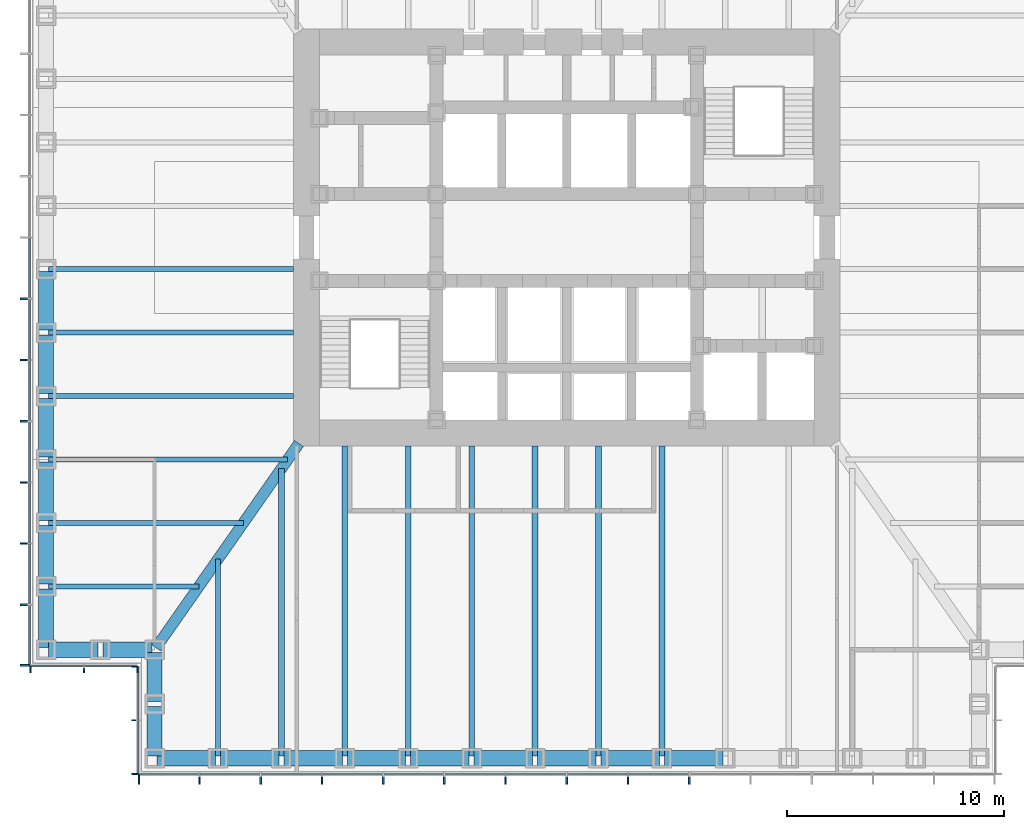
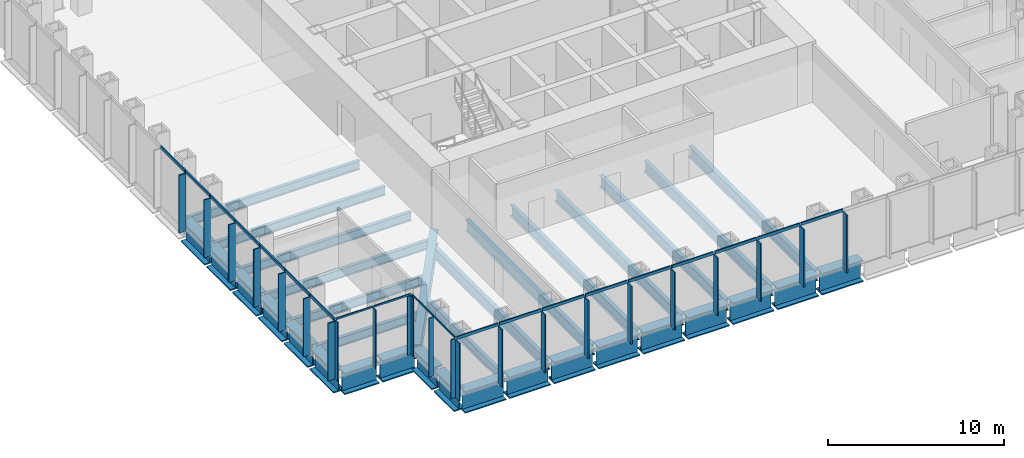
# One storey, part 2 of 16: 43 members, 34 beams, 4 elements without a shape of their own.
"""IFC4 building model written with IfcOpenShell, lengths in metres."""

import ifcopenshell
import ifcopenshell.guid

model = None  # the IFC model being written
_history = None  # IfcOwnerHistory: only IFC2X3 demands one
_inside = {}  # id of a spatial element -> (the spatial element, [elements in it])
_under = {}  # id of a project, library or spatial element -> (it, [spatial elements below it])
_declared = {}  # id of a project -> (the project, [libraries it declares])
_typed = {}  # id of a type object -> (the type object, [elements of that type])
_made_of = {}  # id of a material, layer set ... -> (it, [elements and type objects made of it])


def new_model(schema):
    """Start an empty IFC model of exactly this schema.

    Asked for "IFC4X3", IfcOpenShell would pick the latest addendum, in which some entities
    have other attributes; the version numbers below select the first issue.
    IFC2X3 requires an IfcOwnerHistory on every rooted entity: one is made here for all.
    """
    global model, _history
    if schema == "IFC4X3":
        model = ifcopenshell.file(schema_version=(4, 3, 0, 0))
    else:
        model = ifcopenshell.file(schema=schema)
    _inside.clear()
    _under.clear()
    _declared.clear()
    _typed.clear()
    _made_of.clear()
    _history = None
    if model.schema == "IFC2X3":
        org = make("IfcOrganization", Name="unknown")
        user = make(
            "IfcPersonAndOrganization",
            ThePerson=make("IfcPerson", FamilyName="unknown"),
            TheOrganization=org,
        )
        app = make(
            "IfcApplication",
            ApplicationDeveloper=org,
            Version="unknown",
            ApplicationFullName="unknown",
            ApplicationIdentifier="unknown",
        )
        _history = make(
            "IfcOwnerHistory",
            OwningUser=user,
            OwningApplication=app,
            ChangeAction="ADDED",
            CreationDate=0,
        )
    return model


def make(cls, **values):
    """One entity of the class cls with the attributes given. An attribute that is None is left unset."""
    return model.create_entity(
        cls, **{name: value for name, value in values.items() if value is not None}
    )


def rooted(cls, **values):
    """An entity with a GlobalId (a new one), such as an element, a storey or a relation."""
    return make(cls, GlobalId=ifcopenshell.guid.new(), OwnerHistory=_history, **values)


def si_unit(unit_type, name, prefix=None):
    """IfcSIUnit, for example si_unit("LENGTHUNIT", "METRE", prefix="MILLI")."""
    return make("IfcSIUnit", UnitType=unit_type, Prefix=prefix, Name=name)


def assignment(units):
    """IfcUnitAssignment: the units of a project."""
    return None if units is None else make("IfcUnitAssignment", Units=units)


def point(xyz):
    """IfcCartesianPoint."""
    return None if xyz is None else make("IfcCartesianPoint", Coordinates=xyz)


def direction(xyz):
    """IfcDirection."""
    return None if xyz is None else make("IfcDirection", DirectionRatios=xyz)


def frame(location, z_axis=None, x_axis=None):
    """IfcAxis2Placement3D, a coordinate frame: its origin and axes. An axis left out is left unset."""
    return make(
        "IfcAxis2Placement3D",
        Location=point(location),
        Axis=direction(z_axis),
        RefDirection=direction(x_axis),
    )


def frame_2d(location, x_axis=None):
    """IfcAxis2Placement2D, a coordinate frame in the plane: its origin and x axis."""
    return make(
        "IfcAxis2Placement2D", Location=point(location), RefDirection=direction(x_axis)
    )


def origin():
    """The frame at (0, 0, 0) with its axes left unset."""
    return frame((0.0, 0.0, 0.0))


def origin_2d():
    """The frame at (0, 0) in the plane with its x axis left unset."""
    return frame_2d((0.0, 0.0))


def place(relative_to, where):
    """IfcLocalPlacement: puts the frame where relative to a parent placement (None: the world)."""
    return make(
        "IfcLocalPlacement", PlacementRelTo=relative_to, RelativePlacement=where
    )


def context(
    kind, dimensions, precision=None, world=None, true_north=None, identifier=None
):
    """IfcGeometricRepresentationContext, for example the 3D "Model" context."""
    return make(
        "IfcGeometricRepresentationContext",
        ContextIdentifier=identifier,
        ContextType=kind,
        CoordinateSpaceDimension=dimensions,
        Precision=precision,
        WorldCoordinateSystem=world,
        TrueNorth=true_north,
    )


def subcontext(parent, identifier, kind, view, scale=None):
    """IfcGeometricRepresentationSubContext, for example "Body" below "Model"."""
    return make(
        "IfcGeometricRepresentationSubContext",
        ContextIdentifier=identifier,
        ContextType=kind,
        ParentContext=parent,
        TargetScale=scale,
        TargetView=view,
    )


def project(units=None, contexts=None):
    """IfcProject with its units and contexts."""
    return rooted(
        "IfcProject",
        Name="project",
        RepresentationContexts=contexts,
        UnitsInContext=assignment(units),
    )


def spatial(cls, under=None, at=None, **own):
    """A site, building, storey or space (cls), placed at a placement, below another one or the project."""
    s = rooted(cls, ObjectPlacement=at, **own)
    if under is not None:
        _under.setdefault(under.id(), (under, []))[1].append(s)
    return s


def profile(cls, at=None, kind="AREA", **sizes):
    """A parametric profile (cls). Its sizes go by their IFC names, for example OverallWidth=200.0."""
    return make(cls, ProfileType=kind, Position=at, **sizes)


def rectangle(**sizes):
    """IfcRectangleProfileDef."""
    return profile("IfcRectangleProfileDef", **sizes)


def i_section(**sizes):
    """IfcIShapeProfileDef."""
    return profile("IfcIShapeProfileDef", **sizes)


def extrude(swept, where, along, depth):
    """IfcExtrudedAreaSolid: the profile swept, set in the frame where, extruded along a direction by depth."""
    return make(
        "IfcExtrudedAreaSolid",
        SweptArea=swept,
        Position=where,
        ExtrudedDirection=direction(along),
        Depth=depth,
    )


def shape(context_of_items, identifier, shape_type, items):
    """IfcShapeRepresentation: the items that make up one representation, for example the "Body"."""
    return make(
        "IfcShapeRepresentation",
        ContextOfItems=context_of_items,
        RepresentationIdentifier=identifier,
        RepresentationType=shape_type,
        Items=items,
    )


def material(Name=None, Category=None):
    """IfcMaterial."""
    return make("IfcMaterial", Name=Name, Category=Category)


def material_profile(
    of_material, cross_section, Name=None, Category=None, Priority=None
):
    """IfcMaterialProfile: a cross section and its material."""
    return make(
        "IfcMaterialProfile",
        Name=Name,
        Material=of_material,
        Profile=cross_section,
        Priority=Priority,
        Category=Category,
    )


def profile_set(profiles, Name=None, composite=None):
    """IfcMaterialProfileSet."""
    return make(
        "IfcMaterialProfileSet",
        Name=Name,
        MaterialProfiles=profiles,
        CompositeProfile=composite,
    )


def made_of(thing, what):
    """Note that an element or type object is made of a material, layer set ...; save() writes the relation."""
    if what is not None:
        _made_of.setdefault(what.id(), (what, []))[1].append(thing)
    return thing


def type_object(cls, material=None, **own):
    """A type object (cls), such as IfcWallType, which elements share."""
    return made_of(rooted(cls, **own), material)


def element(
    cls,
    number,
    at=None,
    inside=None,
    cuts=None,
    type_object=None,
    material=None,
    context=None,
    identifier="Body",
    shape_type=None,
    held_by="IfcProductDefinitionShape",
    body=None,
    shapes=None,
    **own,
):
    """One element of the class cls, such as IfcWall. Its Tag is "e" and its number.

    at: its placement. inside: the storey or other place that contains it. cuts: it is an
    opening in that element (IfcRelVoidsElement). A single representation is given by context,
    identifier, shape_type and body (its items); several are given by shapes. held_by: the class
    of the entity that holds the representations. save() writes the other relations.
    """
    e = rooted(cls, Tag="e%d" % number, ObjectPlacement=at, **own)
    if body is not None:
        shapes = [shape(context, identifier, shape_type, body)]
    if shapes is not None:
        e.Representation = make(held_by, Representations=shapes)
    if inside is not None:
        _inside.setdefault(inside.id(), (inside, []))[1].append(e)
    if cuts is not None:
        rooted(
            "IfcRelVoidsElement", RelatingBuildingElement=cuts, RelatedOpeningElement=e
        )
    if type_object is not None:
        _typed.setdefault(type_object.id(), (type_object, []))[1].append(e)
    return made_of(e, material)


def aggregate(whole, parts):
    """IfcRelAggregates: a whole, such as a stair, and the parts it consists of."""
    return rooted("IfcRelAggregates", RelatingObject=whole, RelatedObjects=parts)


def save(model, path):
    """Write the relations noted so far, then the file.

    IfcRelAggregates (storeys below a building ...), IfcRelContainedInSpatialStructure (elements
    in a storey), IfcRelDefinesByType, IfcRelAssociatesMaterial and IfcRelDeclares: one each for
    every whole, place, type object, material and project.
    """
    for whole, parts in _under.values():
        aggregate(whole, parts)
    for where, things in _inside.values():
        rooted(
            "IfcRelContainedInSpatialStructure",
            RelatedElements=things,
            RelatingStructure=where,
        )
    for kind, things in _typed.values():
        rooted("IfcRelDefinesByType", RelatedObjects=things, RelatingType=kind)
    for what, things in _made_of.values():
        rooted("IfcRelAssociatesMaterial", RelatedObjects=things, RelatingMaterial=what)
    for by, libraries in _declared.values():
        rooted("IfcRelDeclares", RelatingContext=by, RelatedDefinitions=libraries)
    model.write(path)


model = new_model("IFC4")

# Units and contexts
model_context = context("Model", 3, precision=1e-05, world=origin(), true_north=direction((0.0, 1.0)))
body_context = subcontext(model_context, "Body", "Model", "MODEL_VIEW")
ifc_project = project(units=[si_unit("LENGTHUNIT", "METRE"), si_unit("AREAUNIT", "SQUARE_METRE"), si_unit("VOLUMEUNIT", "CUBIC_METRE"), si_unit("PLANEANGLEUNIT", "RADIAN"), si_unit("MASSUNIT", "GRAM", prefix="KILO")], contexts=[model_context])

# Site, building, storey
site_placement = place(None, origin())
site = spatial("IfcSite", under=ifc_project, at=site_placement, CompositionType="ELEMENT")
building_placement = place(site_placement, origin())
building = spatial("IfcBuilding", under=site, at=building_placement, Name="Daluyong Arena Tower", CompositionType="ELEMENT")
storey_placement = place(building_placement, frame((0.0, 0.0, 72.699951171875)))
storey = spatial("IfcBuildingStorey", under=building, at=storey_placement, Name="L15", CompositionType="ELEMENT", Elevation=72.699951171875)

# Curtain wall, members
ifc_material_1 = material(Name="Bronze anodised aluminium and glass", Category="aluminium")
curtain_wall_type_1 = type_object("IfcCurtainWallType", Name="Curtain wall CW1", PredefinedType="USERDEFINED", material=ifc_material_1)
curtain_wall_1_placement = place(storey_placement, origin())
curtain_wall_1 = element("IfcCurtainWall", 1, at=curtain_wall_1_placement, inside=storey, type_object=curtain_wall_type_1, Name="curtain wall L15 S", ObjectType="UNITISED CURTAIN WALL", PredefinedType="USERDEFINED")
ifc_material_2 = material(Name="Bronze anodised aluminium fin", Category="aluminium")
ifc_material_profile_1 = material_profile(ifc_material_2, rectangle(XDim=0.449951171875, YDim=0.080078125, at=origin_2d()))
ifc_profile_set_1 = profile_set([ifc_material_profile_1], Name="Bronze anodised aluminium fin")
member_type_1 = type_object("IfcMemberType", Name="CW1 bronze fin 450x80", PredefinedType="MULLION", material=ifc_profile_set_1)
member_1_placement = place(storey_placement, frame((36.2900390625, 55.02490234375, 0.0), z_axis=(0.0, 0.0, 1.0), x_axis=(0.0, 1.0, 0.0)))
member_1 = element("IfcMember", 2, at=member_1_placement, type_object=member_type_1, Name="curtain wall L15 S fin 1", PredefinedType="MULLION", context=body_context, shape_type="SweptSolid", body=[
    extrude(rectangle(XDim=0.449951171875, YDim=0.080078125, at=origin_2d()), origin(), (0.0, 0.0, 1.0), 4.0),
])
member_2_placement = place(storey_placement, frame((39.071533203125, 55.02490234375, 0.0), z_axis=(0.0, 0.0, 1.0), x_axis=(0.0, 1.0, 0.0)))
member_2 = element("IfcMember", 3, at=member_2_placement, type_object=member_type_1, Name="curtain wall L15 S fin 2", PredefinedType="MULLION", context=body_context, shape_type="SweptSolid", body=[
    extrude(rectangle(XDim=0.449951171875, YDim=0.080078125, at=origin_2d()), origin(), (0.0, 0.0, 1.0), 4.0),
])
member_3_placement = place(storey_placement, frame((41.892822265625, 55.02490234375, 0.0), z_axis=(0.0, 0.0, 1.0), x_axis=(0.0, 1.0, 0.0)))
member_3 = element("IfcMember", 4, at=member_3_placement, type_object=member_type_1, Name="curtain wall L15 S fin 3", PredefinedType="MULLION", context=body_context, shape_type="SweptSolid", body=[
    extrude(rectangle(XDim=0.449951171875, YDim=0.080078125, at=origin_2d()), origin(), (0.0, 0.0, 1.0), 4.0),
])
member_4_placement = place(storey_placement, frame((44.71435546875, 55.02490234375, 0.0), z_axis=(0.0, 0.0, 1.0), x_axis=(0.0, 1.0, 0.0)))
member_4 = element("IfcMember", 5, at=member_4_placement, type_object=member_type_1, Name="curtain wall L15 S fin 4", PredefinedType="MULLION", context=body_context, shape_type="SweptSolid", body=[
    extrude(rectangle(XDim=0.449951171875, YDim=0.080078125, at=origin_2d()), origin(), (0.0, 0.0, 1.0), 4.0),
])
member_5_placement = place(storey_placement, frame((47.53564453125, 55.02490234375, 0.0), z_axis=(0.0, 0.0, 1.0), x_axis=(0.0, 1.0, 0.0)))
member_5 = element("IfcMember", 6, at=member_5_placement, type_object=member_type_1, Name="curtain wall L15 S fin 5", PredefinedType="MULLION", context=body_context, shape_type="SweptSolid", body=[
    extrude(rectangle(XDim=0.449951171875, YDim=0.080078125, at=origin_2d()), origin(), (0.0, 0.0, 1.0), 4.0),
])
member_6_placement = place(storey_placement, frame((50.357177734375, 55.02490234375, 0.0), z_axis=(0.0, 0.0, 1.0), x_axis=(0.0, 1.0, 0.0)))
member_6 = element("IfcMember", 7, at=member_6_placement, type_object=member_type_1, Name="curtain wall L15 S fin 6", PredefinedType="MULLION", context=body_context, shape_type="SweptSolid", body=[
    extrude(rectangle(XDim=0.449951171875, YDim=0.080078125, at=origin_2d()), origin(), (0.0, 0.0, 1.0), 4.0),
])
member_7_placement = place(storey_placement, frame((53.178466796875, 55.02490234375, 0.0), z_axis=(0.0, 0.0, 1.0), x_axis=(0.0, 1.0, 0.0)))
member_7 = element("IfcMember", 8, at=member_7_placement, type_object=member_type_1, Name="curtain wall L15 S fin 7", PredefinedType="MULLION", context=body_context, shape_type="SweptSolid", body=[
    extrude(rectangle(XDim=0.449951171875, YDim=0.080078125, at=origin_2d()), origin(), (0.0, 0.0, 1.0), 4.0),
])
member_8_placement = place(storey_placement, frame((56.0, 55.02490234375, 0.0), z_axis=(0.0, 0.0, 1.0), x_axis=(0.0, 1.0, 0.0)))
member_8 = element("IfcMember", 9, at=member_8_placement, type_object=member_type_1, Name="curtain wall L15 S fin 8", PredefinedType="MULLION", context=body_context, shape_type="SweptSolid", body=[
    extrude(rectangle(XDim=0.449951171875, YDim=0.080078125, at=origin_2d()), origin(), (0.0, 0.0, 1.0), 4.0),
])
member_9_placement = place(storey_placement, frame((58.821533203125, 55.02490234375, 0.0), z_axis=(0.0, 0.0, 1.0), x_axis=(0.0, 1.0, 0.0)))
member_9 = element("IfcMember", 10, at=member_9_placement, type_object=member_type_1, Name="curtain wall L15 S fin 9", PredefinedType="MULLION", context=body_context, shape_type="SweptSolid", body=[
    extrude(rectangle(XDim=0.449951171875, YDim=0.080078125, at=origin_2d()), origin(), (0.0, 0.0, 1.0), 4.0),
])
member_10_placement = place(storey_placement, frame((61.642822265625, 55.02490234375, 0.0), z_axis=(0.0, 0.0, 1.0), x_axis=(0.0, 1.0, 0.0)))
member_10 = element("IfcMember", 11, at=member_10_placement, type_object=member_type_1, Name="curtain wall L15 S fin 10", PredefinedType="MULLION", context=body_context, shape_type="SweptSolid", body=[
    extrude(rectangle(XDim=0.449951171875, YDim=0.080078125, at=origin_2d()), origin(), (0.0, 0.0, 1.0), 4.0),
])

curtain_wall_2_placement = place(storey_placement, origin())
curtain_wall_2 = element("IfcCurtainWall", 12, at=curtain_wall_2_placement, inside=storey, type_object=curtain_wall_type_1, Name="curtain wall L15 W", ObjectType="UNITISED CURTAIN WALL", PredefinedType="USERDEFINED")
member_11_placement = place(storey_placement, frame((31.02490234375, 77.178466796875, 0.0), z_axis=(0.0, 0.0, 1.0), x_axis=(1.0, 0.0, 0.0)))
member_11 = element("IfcMember", 13, at=member_11_placement, type_object=member_type_1, Name="curtain wall L15 W fin 9", PredefinedType="MULLION", context=body_context, shape_type="SweptSolid", body=[
    extrude(rectangle(XDim=0.449951171875, YDim=0.080078125, at=origin_2d()), origin(), (0.0, 0.0, 1.0), 4.0),
])
member_12_placement = place(storey_placement, frame((31.02490234375, 74.357177734375, 0.0), z_axis=(0.0, 0.0, 1.0), x_axis=(1.0, 0.0, 0.0)))
member_12 = element("IfcMember", 14, at=member_12_placement, type_object=member_type_1, Name="curtain wall L15 W fin 10", PredefinedType="MULLION", context=body_context, shape_type="SweptSolid", body=[
    extrude(rectangle(XDim=0.449951171875, YDim=0.080078125, at=origin_2d()), origin(), (0.0, 0.0, 1.0), 4.0),
])
member_13_placement = place(storey_placement, frame((31.02490234375, 71.53564453125, 0.0), z_axis=(0.0, 0.0, 1.0), x_axis=(1.0, 0.0, 0.0)))
member_13 = element("IfcMember", 15, at=member_13_placement, type_object=member_type_1, Name="curtain wall L15 W fin 11", PredefinedType="MULLION", context=body_context, shape_type="SweptSolid", body=[
    extrude(rectangle(XDim=0.449951171875, YDim=0.080078125, at=origin_2d()), origin(), (0.0, 0.0, 1.0), 4.0),
])
member_14_placement = place(storey_placement, frame((31.02490234375, 68.71435546875, 0.0), z_axis=(0.0, 0.0, 1.0), x_axis=(1.0, 0.0, 0.0)))
member_14 = element("IfcMember", 16, at=member_14_placement, type_object=member_type_1, Name="curtain wall L15 W fin 12", PredefinedType="MULLION", context=body_context, shape_type="SweptSolid", body=[
    extrude(rectangle(XDim=0.449951171875, YDim=0.080078125, at=origin_2d()), origin(), (0.0, 0.0, 1.0), 4.0),
])
member_15_placement = place(storey_placement, frame((31.02490234375, 65.892822265625, 0.0), z_axis=(0.0, 0.0, 1.0), x_axis=(1.0, 0.0, 0.0)))
member_15 = element("IfcMember", 17, at=member_15_placement, type_object=member_type_1, Name="curtain wall L15 W fin 13", PredefinedType="MULLION", context=body_context, shape_type="SweptSolid", body=[
    extrude(rectangle(XDim=0.449951171875, YDim=0.080078125, at=origin_2d()), origin(), (0.0, 0.0, 1.0), 4.0),
])
member_16_placement = place(storey_placement, frame((31.02490234375, 63.071533203125, 0.0), z_axis=(0.0, 0.0, 1.0), x_axis=(1.0, 0.0, 0.0)))
member_16 = element("IfcMember", 18, at=member_16_placement, type_object=member_type_1, Name="curtain wall L15 W fin 14", PredefinedType="MULLION", context=body_context, shape_type="SweptSolid", body=[
    extrude(rectangle(XDim=0.449951171875, YDim=0.080078125, at=origin_2d()), origin(), (0.0, 0.0, 1.0), 4.0),
])
member_17_placement = place(storey_placement, frame((31.02490234375, 60.2900390625, 0.0), z_axis=(0.0, 0.0, 1.0), x_axis=(1.0, 0.0, 0.0)))
member_17 = element("IfcMember", 19, at=member_17_placement, type_object=member_type_1, Name="curtain wall L15 W fin 15", PredefinedType="MULLION", context=body_context, shape_type="SweptSolid", body=[
    extrude(rectangle(XDim=0.449951171875, YDim=0.080078125, at=origin_2d()), origin(), (0.0, 0.0, 1.0), 4.0),
])

# Member
ifc_material_3 = material(Name="Bronze anodised aluminium", Category="aluminium")
ifc_material_profile_2 = material_profile(ifc_material_3, rectangle(XDim=0.080078125, YDim=0.199951171875, at=origin_2d()))
ifc_profile_set_2 = profile_set([ifc_material_profile_2], Name="Bronze anodised aluminium")
member_type_2 = type_object("IfcMemberType", Name="CW1 stack transom 200x80", PredefinedType="USERDEFINED", material=ifc_profile_set_2)
member_18_placement = place(storey_placement, frame((36.330078125, 55.25, 4.10009765625), z_axis=(1.0, 0.0, 0.0), x_axis=(0.0, 1.0, 0.0)))
member_18 = element("IfcMember", 20, at=member_18_placement, type_object=member_type_2, Name="curtain wall L15 S transom 1", ObjectType="TRANSOM", PredefinedType="USERDEFINED", context=body_context, shape_type="SweptSolid", body=[
    extrude(rectangle(XDim=0.080078125, YDim=0.199951171875, at=origin_2d()), origin(), (0.0, 0.0, 1.0), 2.701416015625),
])

member_19_placement = place(storey_placement, frame((39.111328125, 55.25, 4.10009765625), z_axis=(1.0, 0.0, 0.0), x_axis=(0.0, 1.0, 0.0)))
member_19 = element("IfcMember", 21, at=member_19_placement, type_object=member_type_2, Name="curtain wall L15 S transom 2", ObjectType="TRANSOM", PredefinedType="USERDEFINED", context=body_context, shape_type="SweptSolid", body=[
    extrude(rectangle(XDim=0.080078125, YDim=0.199951171875, at=origin_2d()), origin(), (0.0, 0.0, 1.0), 2.741455078125),
])

member_20_placement = place(storey_placement, frame((41.932861328125, 55.25, 4.10009765625), z_axis=(1.0, 0.0, 0.0), x_axis=(0.0, 1.0, 0.0)))
member_20 = element("IfcMember", 22, at=member_20_placement, type_object=member_type_2, Name="curtain wall L15 S transom 3", ObjectType="TRANSOM", PredefinedType="USERDEFINED", context=body_context, shape_type="SweptSolid", body=[
    extrude(rectangle(XDim=0.080078125, YDim=0.199951171875, at=origin_2d()), origin(), (0.0, 0.0, 1.0), 2.741455078125),
])

member_21_placement = place(storey_placement, frame((44.75439453125, 55.25, 4.10009765625), z_axis=(1.0, 0.0, 0.0), x_axis=(0.0, 1.0, 0.0)))
member_21 = element("IfcMember", 23, at=member_21_placement, type_object=member_type_2, Name="curtain wall L15 S transom 4", ObjectType="TRANSOM", PredefinedType="USERDEFINED", context=body_context, shape_type="SweptSolid", body=[
    extrude(rectangle(XDim=0.080078125, YDim=0.199951171875, at=origin_2d()), origin(), (0.0, 0.0, 1.0), 2.7412109375),
])

member_22_placement = place(storey_placement, frame((47.57568359375, 55.25, 4.10009765625), z_axis=(1.0, 0.0, 0.0), x_axis=(0.0, 1.0, 0.0)))
member_22 = element("IfcMember", 24, at=member_22_placement, type_object=member_type_2, Name="curtain wall L15 S transom 5", ObjectType="TRANSOM", PredefinedType="USERDEFINED", context=body_context, shape_type="SweptSolid", body=[
    extrude(rectangle(XDim=0.080078125, YDim=0.199951171875, at=origin_2d()), origin(), (0.0, 0.0, 1.0), 2.741455078125),
])

member_23_placement = place(storey_placement, frame((50.397216796875, 55.25, 4.10009765625), z_axis=(1.0, 0.0, 0.0), x_axis=(0.0, 1.0, 0.0)))
member_23 = element("IfcMember", 25, at=member_23_placement, type_object=member_type_2, Name="curtain wall L15 S transom 6", ObjectType="TRANSOM", PredefinedType="USERDEFINED", context=body_context, shape_type="SweptSolid", body=[
    extrude(rectangle(XDim=0.080078125, YDim=0.199951171875, at=origin_2d()), origin(), (0.0, 0.0, 1.0), 2.741455078125),
])

member_24_placement = place(storey_placement, frame((53.218505859375, 55.25, 4.10009765625), z_axis=(1.0, 0.0, 0.0), x_axis=(0.0, 1.0, 0.0)))
member_24 = element("IfcMember", 26, at=member_24_placement, type_object=member_type_2, Name="curtain wall L15 S transom 7", ObjectType="TRANSOM", PredefinedType="USERDEFINED", context=body_context, shape_type="SweptSolid", body=[
    extrude(rectangle(XDim=0.080078125, YDim=0.199951171875, at=origin_2d()), origin(), (0.0, 0.0, 1.0), 2.741455078125),
])

member_25_placement = place(storey_placement, frame((56.0400390625, 55.25, 4.10009765625), z_axis=(1.0, 0.0, 0.0), x_axis=(0.0, 1.0, 0.0)))
member_25 = element("IfcMember", 27, at=member_25_placement, type_object=member_type_2, Name="curtain wall L15 S transom 8", ObjectType="TRANSOM", PredefinedType="USERDEFINED", context=body_context, shape_type="SweptSolid", body=[
    extrude(rectangle(XDim=0.080078125, YDim=0.199951171875, at=origin_2d()), origin(), (0.0, 0.0, 1.0), 2.741455078125),
])

member_26_placement = place(storey_placement, frame((58.861328125, 55.25, 4.10009765625), z_axis=(1.0, 0.0, 0.0), x_axis=(0.0, 1.0, 0.0)))
member_26 = element("IfcMember", 28, at=member_26_placement, type_object=member_type_2, Name="curtain wall L15 S transom 9", ObjectType="TRANSOM", PredefinedType="USERDEFINED", context=body_context, shape_type="SweptSolid", body=[
    extrude(rectangle(XDim=0.080078125, YDim=0.199951171875, at=origin_2d()), origin(), (0.0, 0.0, 1.0), 2.741455078125),
])

aggregate(curtain_wall_1, [member_1, member_2, member_3, member_4, member_5, member_6, member_7, member_8, member_9, member_10, member_18, member_19, member_20, member_21, member_22, member_23, member_24, member_25, member_26])

member_27_placement = place(storey_placement, frame((31.25, 79.9599609375, 4.10009765625), z_axis=(0.0, -1.0, 0.0), x_axis=(1.0, 0.0, 0.0)))
member_27 = element("IfcMember", 29, at=member_27_placement, type_object=member_type_2, Name="curtain wall L15 W transom 8", ObjectType="TRANSOM", PredefinedType="USERDEFINED", context=body_context, shape_type="SweptSolid", body=[
    extrude(rectangle(XDim=0.080078125, YDim=0.199951171875, at=origin_2d()), origin(), (0.0, 0.0, 1.0), 2.741455078125),
])

member_28_placement = place(storey_placement, frame((31.25, 77.138671875, 4.10009765625), z_axis=(0.0, -1.0, 0.0), x_axis=(1.0, 0.0, 0.0)))
member_28 = element("IfcMember", 30, at=member_28_placement, type_object=member_type_2, Name="curtain wall L15 W transom 9", ObjectType="TRANSOM", PredefinedType="USERDEFINED", context=body_context, shape_type="SweptSolid", body=[
    extrude(rectangle(XDim=0.080078125, YDim=0.199951171875, at=origin_2d()), origin(), (0.0, 0.0, 1.0), 2.741455078125),
])

member_29_placement = place(storey_placement, frame((31.25, 74.317138671875, 4.10009765625), z_axis=(0.0, -1.0, 0.0), x_axis=(1.0, 0.0, 0.0)))
member_29 = element("IfcMember", 31, at=member_29_placement, type_object=member_type_2, Name="curtain wall L15 W transom 10", ObjectType="TRANSOM", PredefinedType="USERDEFINED", context=body_context, shape_type="SweptSolid", body=[
    extrude(rectangle(XDim=0.080078125, YDim=0.199951171875, at=origin_2d()), origin(), (0.0, 0.0, 1.0), 2.741455078125),
])

member_30_placement = place(storey_placement, frame((31.25, 71.49560546875, 4.10009765625), z_axis=(0.0, -1.0, 0.0), x_axis=(1.0, 0.0, 0.0)))
member_30 = element("IfcMember", 32, at=member_30_placement, type_object=member_type_2, Name="curtain wall L15 W transom 11", ObjectType="TRANSOM", PredefinedType="USERDEFINED", context=body_context, shape_type="SweptSolid", body=[
    extrude(rectangle(XDim=0.080078125, YDim=0.199951171875, at=origin_2d()), origin(), (0.0, 0.0, 1.0), 2.7412109375),
])

member_31_placement = place(storey_placement, frame((31.25, 68.67431640625, 4.10009765625), z_axis=(0.0, -1.0, 0.0), x_axis=(1.0, 0.0, 0.0)))
member_31 = element("IfcMember", 33, at=member_31_placement, type_object=member_type_2, Name="curtain wall L15 W transom 12", ObjectType="TRANSOM", PredefinedType="USERDEFINED", context=body_context, shape_type="SweptSolid", body=[
    extrude(rectangle(XDim=0.080078125, YDim=0.199951171875, at=origin_2d()), origin(), (0.0, 0.0, 1.0), 2.741455078125),
])

member_32_placement = place(storey_placement, frame((31.25, 65.852783203125, 4.10009765625), z_axis=(0.0, -1.0, 0.0), x_axis=(1.0, 0.0, 0.0)))
member_32 = element("IfcMember", 34, at=member_32_placement, type_object=member_type_2, Name="curtain wall L15 W transom 13", ObjectType="TRANSOM", PredefinedType="USERDEFINED", context=body_context, shape_type="SweptSolid", body=[
    extrude(rectangle(XDim=0.080078125, YDim=0.199951171875, at=origin_2d()), origin(), (0.0, 0.0, 1.0), 2.741455078125),
])

member_33_placement = place(storey_placement, frame((31.25, 63.031494140625, 4.10009765625), z_axis=(0.0, -1.0, 0.0), x_axis=(1.0, 0.0, 0.0)))
member_33 = element("IfcMember", 35, at=member_33_placement, type_object=member_type_2, Name="curtain wall L15 W transom 14", ObjectType="TRANSOM", PredefinedType="USERDEFINED", context=body_context, shape_type="SweptSolid", body=[
    extrude(rectangle(XDim=0.080078125, YDim=0.199951171875, at=origin_2d()), origin(), (0.0, 0.0, 1.0), 2.701416015625),
])

aggregate(curtain_wall_2, [member_11, member_12, member_13, member_14, member_15, member_16, member_17, member_27, member_28, member_29, member_30, member_31, member_32, member_33])

# Curtain wall, members
ifc_material_4 = material(Name="Bronze anodised aluminium and glass", Category="aluminium")
curtain_wall_type_2 = type_object("IfcCurtainWallType", Name="Curtain wall CW7", PredefinedType="USERDEFINED", material=ifc_material_4)
curtain_wall_3_placement = place(storey_placement, origin())
curtain_wall_3 = element("IfcCurtainWall", 36, at=curtain_wall_3_placement, inside=storey, type_object=curtain_wall_type_2, Name="curtain wall L15 SW-S", ObjectType="UNITISED CURTAIN WALL", PredefinedType="USERDEFINED")
ifc_material_5 = material(Name="Bronze anodised aluminium fin", Category="aluminium")
ifc_material_profile_3 = material_profile(ifc_material_5, rectangle(XDim=0.300048828125, YDim=0.06005859375, at=origin_2d()))
ifc_profile_set_3 = profile_set([ifc_material_profile_3], Name="Bronze anodised aluminium fin")
member_type_3 = type_object("IfcMemberType", Name="CW7 bronze fin 300x60", PredefinedType="MULLION", material=ifc_profile_set_3)
member_34_placement = place(storey_placement, frame((31.280029296875, 60.10009765625, 0.0), z_axis=(0.0, 0.0, 1.0), x_axis=(0.0, 1.0, 0.0)))
member_34 = element("IfcMember", 37, at=member_34_placement, type_object=member_type_3, Name="curtain wall L15 SW-S fin 1", PredefinedType="MULLION", context=body_context, shape_type="SweptSolid", body=[
    extrude(rectangle(XDim=0.300048828125, YDim=0.06005859375, at=origin_2d()), origin(), (0.0, 0.0, 1.0), 4.080078125),
])
member_35_placement = place(storey_placement, frame((33.75, 60.10009765625, 0.0), z_axis=(0.0, 0.0, 1.0), x_axis=(0.0, 1.0, 0.0)))
member_35 = element("IfcMember", 38, at=member_35_placement, type_object=member_type_3, Name="curtain wall L15 SW-S fin 2", PredefinedType="MULLION", context=body_context, shape_type="SweptSolid", body=[
    extrude(rectangle(XDim=0.300048828125, YDim=0.06005859375, at=origin_2d()), origin(), (0.0, 0.0, 1.0), 4.080078125),
])
member_36_placement = place(storey_placement, frame((36.219970703125, 60.10009765625, 0.0), z_axis=(0.0, 0.0, 1.0), x_axis=(0.0, 1.0, 0.0)))
member_36 = element("IfcMember", 39, at=member_36_placement, type_object=member_type_3, Name="curtain wall L15 SW-S fin 3", PredefinedType="MULLION", context=body_context, shape_type="SweptSolid", body=[
    extrude(rectangle(XDim=0.300048828125, YDim=0.06005859375, at=origin_2d()), origin(), (0.0, 0.0, 1.0), 4.080078125),
])

curtain_wall_4_placement = place(storey_placement, origin())
curtain_wall_4 = element("IfcCurtainWall", 40, at=curtain_wall_4_placement, inside=storey, type_object=curtain_wall_type_2, Name="curtain wall L15 SW-W", ObjectType="UNITISED CURTAIN WALL", PredefinedType="USERDEFINED")
member_37_placement = place(storey_placement, frame((36.10009765625, 60.219970703125, 0.0), z_axis=(0.0, 0.0, 1.0), x_axis=(1.0, 0.0, 0.0)))
member_37 = element("IfcMember", 41, at=member_37_placement, type_object=member_type_3, Name="curtain wall L15 SW-W fin 1", PredefinedType="MULLION", context=body_context, shape_type="SweptSolid", body=[
    extrude(rectangle(XDim=0.300048828125, YDim=0.06005859375, at=origin_2d()), origin(), (0.0, 0.0, 1.0), 4.080078125),
])
member_38_placement = place(storey_placement, frame((36.10009765625, 57.75, 0.0), z_axis=(0.0, 0.0, 1.0), x_axis=(1.0, 0.0, 0.0)))
member_38 = element("IfcMember", 42, at=member_38_placement, type_object=member_type_3, Name="curtain wall L15 SW-W fin 2", PredefinedType="MULLION", context=body_context, shape_type="SweptSolid", body=[
    extrude(rectangle(XDim=0.300048828125, YDim=0.06005859375, at=origin_2d()), origin(), (0.0, 0.0, 1.0), 4.080078125),
])
member_39_placement = place(storey_placement, frame((36.10009765625, 55.280029296875, 0.0), z_axis=(0.0, 0.0, 1.0), x_axis=(1.0, 0.0, 0.0)))
member_39 = element("IfcMember", 43, at=member_39_placement, type_object=member_type_3, Name="curtain wall L15 SW-W fin 3", PredefinedType="MULLION", context=body_context, shape_type="SweptSolid", body=[
    extrude(rectangle(XDim=0.300048828125, YDim=0.06005859375, at=origin_2d()), origin(), (0.0, 0.0, 1.0), 4.080078125),
])

# Member
ifc_material_6 = material(Name="Bronze anodised aluminium", Category="aluminium")
ifc_material_profile_4 = material_profile(ifc_material_6, rectangle(XDim=0.06005859375, YDim=0.1201171875, at=origin_2d()))
ifc_profile_set_4 = profile_set([ifc_material_profile_4], Name="Bronze anodised aluminium")
member_type_4 = type_object("IfcMemberType", Name="CW7 stack transom 120x60", PredefinedType="USERDEFINED", material=ifc_profile_set_4)
member_40_placement = place(storey_placement, frame((31.31005859375, 60.25, 4.14013671875), z_axis=(1.0, 0.0, 0.0), x_axis=(0.0, 1.0, 0.0)))
member_40 = element("IfcMember", 44, at=member_40_placement, type_object=member_type_4, Name="curtain wall L15 SW-S transom 1", ObjectType="TRANSOM", PredefinedType="USERDEFINED", context=body_context, shape_type="SweptSolid", body=[
    extrude(rectangle(XDim=0.06005859375, YDim=0.1201171875, at=origin_2d()), origin(), (0.0, 0.0, 1.0), 2.409912109375),
])

member_41_placement = place(storey_placement, frame((33.780029296875, 60.25, 4.14013671875), z_axis=(1.0, 0.0, 0.0), x_axis=(0.0, 1.0, 0.0)))
member_41 = element("IfcMember", 45, at=member_41_placement, type_object=member_type_4, Name="curtain wall L15 SW-S transom 2", ObjectType="TRANSOM", PredefinedType="USERDEFINED", context=body_context, shape_type="SweptSolid", body=[
    extrude(rectangle(XDim=0.06005859375, YDim=0.1201171875, at=origin_2d()), origin(), (0.0, 0.0, 1.0), 2.409912109375),
])

aggregate(curtain_wall_3, [member_34, member_35, member_36, member_40, member_41])

member_42_placement = place(storey_placement, frame((36.25, 60.18994140625, 4.14013671875), z_axis=(0.0, -1.0, 0.0), x_axis=(1.0, 0.0, 0.0)))
member_42 = element("IfcMember", 46, at=member_42_placement, type_object=member_type_4, Name="curtain wall L15 SW-W transom 1", ObjectType="TRANSOM", PredefinedType="USERDEFINED", context=body_context, shape_type="SweptSolid", body=[
    extrude(rectangle(XDim=0.06005859375, YDim=0.1201171875, at=origin_2d()), origin(), (0.0, 0.0, 1.0), 2.409912109375),
])

member_43_placement = place(storey_placement, frame((36.25, 57.719970703125, 4.14013671875), z_axis=(0.0, -1.0, 0.0), x_axis=(1.0, 0.0, 0.0)))
member_43 = element("IfcMember", 47, at=member_43_placement, type_object=member_type_4, Name="curtain wall L15 SW-W transom 2", ObjectType="TRANSOM", PredefinedType="USERDEFINED", context=body_context, shape_type="SweptSolid", body=[
    extrude(rectangle(XDim=0.06005859375, YDim=0.1201171875, at=origin_2d()), origin(), (0.0, 0.0, 1.0), 2.409912109375),
])

aggregate(curtain_wall_4, [member_37, member_38, member_39, member_42, member_43])

# Beams
ifc_material_7 = material(Name="Steel ASTM A572 Grade 50", Category="steel")
ifc_material_profile_5 = material_profile(ifc_material_7, i_section(OverallWidth=0.5, OverallDepth=1.0, WebThickness=0.03, FlangeThickness=0.06, at=origin_2d()))
ifc_profile_set_5 = profile_set([ifc_material_profile_5], Name="Steel ASTM A572 Grade 50")
beam_type_1 = type_object("IfcBeamType", Name="Corner girder TB1000X500", PredefinedType="BEAM", material=ifc_profile_set_5)
beam_1_placement = place(storey_placement, frame((37.06591796875, 61.09423828125, -0.659912109375), z_axis=(0.573466621875, 0.819228926244, 0.0), x_axis=(-0.819228926244, 0.573466621875, 0.0)))
element("IfcBeam", 48, at=beam_1_placement, inside=storey, type_object=beam_type_1, Name="corner girder DG2", PredefinedType="BEAM", context=body_context, shape_type="SweptSolid", body=[
    extrude(i_section(OverallWidth=0.5, OverallDepth=1.0, WebThickness=0.03, FlangeThickness=0.06, at=origin_2d()), origin(), (0.0, 0.0, 1.0), 11.49169921875),
])
ifc_material_8 = material(Name="Steel ASTM A992 Grade 50", Category="steel")
ifc_material_profile_6 = material_profile(ifc_material_8, i_section(OverallWidth=0.22900390625, OverallDepth=0.612060546875, WebThickness=0.011962890625, FlangeThickness=0.01953125, at=origin_2d()))
ifc_profile_set_6 = profile_set([ifc_material_profile_6], Name="Steel ASTM A992 Grade 50")
beam_type_2 = type_object("IfcBeamType", Name="Floor beam W24X84", PredefinedType="BEAM", material=ifc_profile_set_6)
beam_2_placement = place(storey_placement, frame((39.923095703125, 56.114990234375, -0.466064453125), z_axis=(0.0, 1.0, 0.0), x_axis=(-1.0, 0.0, 0.0)))
element("IfcBeam", 49, at=beam_2_placement, inside=storey, type_object=beam_type_2, Name="floor beam FB3", PredefinedType="BEAM", context=body_context, shape_type="SweptSolid", body=[
    extrude(i_section(OverallWidth=0.22900390625, OverallDepth=0.612060546875, WebThickness=0.011962890625, FlangeThickness=0.01953125, at=origin_2d()), origin(), (0.0, 0.0, 1.0), 9.060791015625),
])
for number, where, z_axis, x_axis, name in (
    (50, (32.114990234375, 78.53857421875, -0.466064453125), (1.0, 0.0, 0.0), (0.0, 1.0, 0.0), "floor beam FB3"),
    (51, (32.114990234375, 75.615478515625, -0.466064453125), (1.0, 0.0, 0.0), (0.0, 1.0, 0.0), "floor beam FB3"),
    (52, (32.114990234375, 72.6923828125, -0.466064453125), (1.0, 0.0, 0.0), (0.0, 1.0, 0.0), "floor beam FB3"),
):
    element("IfcBeam", number, at=place(storey_placement, frame(where, z_axis=z_axis, x_axis=x_axis)), inside=storey, type_object=beam_type_2, Name=name, PredefinedType="BEAM", context=body_context, shape_type="SweptSolid", body=[
        extrude(i_section(OverallWidth=0.22900390625, OverallDepth=0.612060546875, WebThickness=0.011962890625, FlangeThickness=0.01953125, at=origin_2d()), origin(), (0.0, 0.0, 1.0), 11.284912109375),
    ])
beam_3_placement = place(storey_placement, frame((32.114990234375, 69.769287109375, -0.466064453125), z_axis=(1.0, 0.0, 0.0), x_axis=(0.0, 1.0, 0.0)))
element("IfcBeam", 53, at=beam_3_placement, inside=storey, type_object=beam_type_2, Name="floor beam FB3", PredefinedType="BEAM", context=body_context, shape_type="SweptSolid", body=[
    extrude(i_section(OverallWidth=0.22900390625, OverallDepth=0.612060546875, WebThickness=0.011962890625, FlangeThickness=0.01953125, at=origin_2d()), origin(), (0.0, 0.0, 1.0), 11.0234375),
])
beam_4_placement = place(storey_placement, frame((32.114990234375, 66.84619140625, -0.466064453125), z_axis=(1.0, 0.0, 0.0), x_axis=(0.0, 1.0, 0.0)))
element("IfcBeam", 54, at=beam_4_placement, inside=storey, type_object=beam_type_2, Name="floor beam FB3", PredefinedType="BEAM", context=body_context, shape_type="SweptSolid", body=[
    extrude(i_section(OverallWidth=0.22900390625, OverallDepth=0.612060546875, WebThickness=0.011962890625, FlangeThickness=0.01953125, at=origin_2d()), origin(), (0.0, 0.0, 1.0), 8.977294921875),
])
beam_5_placement = place(storey_placement, frame((32.114990234375, 63.923095703125, -0.466064453125), z_axis=(1.0, 0.0, 0.0), x_axis=(0.0, 1.0, 0.0)))
element("IfcBeam", 55, at=beam_5_placement, inside=storey, type_object=beam_type_2, Name="floor beam FB3", PredefinedType="BEAM", context=body_context, shape_type="SweptSolid", body=[
    extrude(i_section(OverallWidth=0.22900390625, OverallDepth=0.612060546875, WebThickness=0.011962890625, FlangeThickness=0.01953125, at=origin_2d()), origin(), (0.0, 0.0, 1.0), 6.93115234375),
])
ifc_material_9 = material(Name="Steel ASTM A992 Grade 50", Category="steel")
ifc_material_profile_7 = material_profile(ifc_material_9, i_section(OverallWidth=0.2666015625, OverallDepth=0.761962890625, WebThickness=0.014404296875, FlangeThickness=0.021484375, at=origin_2d()))
ifc_profile_set_7 = profile_set([ifc_material_profile_7], Name="Steel ASTM A992 Grade 50")
beam_type_3 = type_object("IfcBeamType", Name="Floor beam W30X116", PredefinedType="BEAM", material=ifc_profile_set_7)
beam_6_placement = place(storey_placement, frame((42.84619140625, 56.114990234375, -0.541015625), z_axis=(0.0, 1.0, 0.0), x_axis=(-1.0, 0.0, 0.0)))
element("IfcBeam", 56, at=beam_6_placement, inside=storey, type_object=beam_type_3, Name="floor beam FB4", PredefinedType="BEAM", context=body_context, shape_type="SweptSolid", body=[
    extrude(i_section(OverallWidth=0.2666015625, OverallDepth=0.761962890625, WebThickness=0.014404296875, FlangeThickness=0.021484375, at=origin_2d()), origin(), (0.0, 0.0, 1.0), 13.236572265625),
])
for number, where, z_axis, x_axis, name in (
    (57, (45.769287109375, 56.114990234375, -0.541015625), (0.0, 1.0, 0.0), (-1.0, 0.0, 0.0), "floor beam FB4"),
    (58, (48.6923828125, 56.114990234375, -0.541015625), (0.0, 1.0, 0.0), (-1.0, 0.0, 0.0), "floor beam FB4"),
    (59, (51.615478515625, 56.114990234375, -0.541015625), (0.0, 1.0, 0.0), (-1.0, 0.0, 0.0), "floor beam FB4"),
    (60, (54.53857421875, 56.114990234375, -0.541015625), (0.0, 1.0, 0.0), (-1.0, 0.0, 0.0), "floor beam FB4"),
    (61, (57.46142578125, 56.114990234375, -0.541015625), (0.0, 1.0, 0.0), (-1.0, 0.0, 0.0), "floor beam FB4"),
    (62, (60.384521484375, 56.114990234375, -0.541015625), (0.0, 1.0, 0.0), (-1.0, 0.0, 0.0), "floor beam FB4"),
):
    element("IfcBeam", number, at=place(storey_placement, frame(where, z_axis=z_axis, x_axis=x_axis)), inside=storey, type_object=beam_type_3, Name=name, PredefinedType="BEAM", context=body_context, shape_type="SweptSolid", body=[
        extrude(i_section(OverallWidth=0.2666015625, OverallDepth=0.761962890625, WebThickness=0.014404296875, FlangeThickness=0.021484375, at=origin_2d()), origin(), (0.0, 0.0, 1.0), 14.284912109375),
    ])
ifc_material_10 = material(Name="Steel ASTM A572 Grade 50", Category="steel")
ifc_material_profile_8 = material_profile(ifc_material_10, i_section(OverallWidth=0.699951171875, OverallDepth=1.5, WebThickness=0.04, FlangeThickness=0.08, at=origin_2d()))
ifc_profile_set_8 = profile_set([ifc_material_profile_8], Name="Steel ASTM A572 Grade 50")
beam_type_4 = type_object("IfcBeamType", Name="Spandrel Z1 PG1500X700", PredefinedType="SPANDREL", material=ifc_profile_set_8)
for number, where, z_axis, x_axis, name in (
    (63, (37.114990234375, 56.0, -0.909912109375), (1.0, 0.0, 0.0), (0.0, 1.0, 0.0), "spandrel z1 SB4"),
    (64, (40.0380859375, 56.0, -0.909912109375), (1.0, 0.0, 0.0), (0.0, 1.0, 0.0), "spandrel z1 SB4"),
    (65, (42.961181640625, 56.0, -0.909912109375), (1.0, 0.0, 0.0), (0.0, 1.0, 0.0), "spandrel z1 SB4"),
    (66, (45.88427734375, 56.0, -0.909912109375), (1.0, 0.0, 0.0), (0.0, 1.0, 0.0), "spandrel z1 SB4"),
    (67, (48.807373046875, 56.0, -0.909912109375), (1.0, 0.0, 0.0), (0.0, 1.0, 0.0), "spandrel z1 SB4"),
    (68, (51.73046875, 56.0, -0.909912109375), (1.0, 0.0, 0.0), (0.0, 1.0, 0.0), "spandrel z1 SB4"),
):
    element("IfcBeam", number, at=place(storey_placement, frame(where, z_axis=z_axis, x_axis=x_axis)), inside=storey, type_object=beam_type_4, Name=name, PredefinedType="SPANDREL", context=body_context, shape_type="SweptSolid", body=[
        extrude(i_section(OverallWidth=0.699951171875, OverallDepth=1.5, WebThickness=0.04, FlangeThickness=0.08, at=origin_2d()), origin(), (0.0, 0.0, 1.0), 2.693115234375),
    ])
beam_7_placement = place(storey_placement, frame((54.653564453125, 56.0, -0.909912109375), z_axis=(1.0, 0.0, 0.0), x_axis=(0.0, 1.0, 0.0)))
element("IfcBeam", 69, at=beam_7_placement, inside=storey, type_object=beam_type_4, Name="spandrel z1 SB4", PredefinedType="SPANDREL", context=body_context, shape_type="SweptSolid", body=[
    extrude(i_section(OverallWidth=0.699951171875, OverallDepth=1.5, WebThickness=0.04, FlangeThickness=0.08, at=origin_2d()), origin(), (0.0, 0.0, 1.0), 2.69287109375),
])
for number, where, z_axis, x_axis, name in (
    (70, (57.576416015625, 56.0, -0.909912109375), (1.0, 0.0, 0.0), (0.0, 1.0, 0.0), "spandrel z1 SB4"),
    (71, (60.49951171875, 56.0, -0.909912109375), (1.0, 0.0, 0.0), (0.0, 1.0, 0.0), "spandrel z1 SB4"),
    (72, (32.0, 78.423583984375, -0.909912109375), (0.0, -1.0, 0.0), (1.0, 0.0, 0.0), "spandrel z1 SB4"),
    (73, (32.0, 75.50048828125, -0.909912109375), (0.0, -1.0, 0.0), (1.0, 0.0, 0.0), "spandrel z1 SB4"),
    (74, (32.0, 72.577392578125, -0.909912109375), (0.0, -1.0, 0.0), (1.0, 0.0, 0.0), "spandrel z1 SB4"),
    (75, (32.0, 69.654296875, -0.909912109375), (0.0, -1.0, 0.0), (1.0, 0.0, 0.0), "spandrel z1 SB4"),
    (76, (32.0, 66.731201171875, -0.909912109375), (0.0, -1.0, 0.0), (1.0, 0.0, 0.0), "spandrel z1 SB4"),
    (77, (32.0, 63.80810546875, -0.909912109375), (0.0, -1.0, 0.0), (1.0, 0.0, 0.0), "spandrel z1 SB4"),
):
    element("IfcBeam", number, at=place(storey_placement, frame(where, z_axis=z_axis, x_axis=x_axis)), inside=storey, type_object=beam_type_4, Name=name, PredefinedType="SPANDREL", context=body_context, shape_type="SweptSolid", body=[
        extrude(i_section(OverallWidth=0.699951171875, OverallDepth=1.5, WebThickness=0.04, FlangeThickness=0.08, at=origin_2d()), origin(), (0.0, 0.0, 1.0), 2.693115234375),
    ])
for number, where, z_axis, x_axis, name in (
    (78, (32.114990234375, 61.0, -0.909912109375), (1.0, 0.0, 0.0), (0.0, 1.0, 0.0), "spandrel z1 SB4"),
    (79, (34.614990234375, 61.0, -0.909912109375), (1.0, 0.0, 0.0), (0.0, 1.0, 0.0), "spandrel z1 SB4"),
    (80, (37.0, 60.885009765625, -0.909912109375), (0.0, -1.0, 0.0), (1.0, 0.0, 0.0), "spandrel z1 SB4"),
    (81, (37.0, 58.385009765625, -0.909912109375), (0.0, -1.0, 0.0), (1.0, 0.0, 0.0), "spandrel z1 SB4"),
):
    element("IfcBeam", number, at=place(storey_placement, frame(where, z_axis=z_axis, x_axis=x_axis)), inside=storey, type_object=beam_type_4, Name=name, PredefinedType="SPANDREL", context=body_context, shape_type="SweptSolid", body=[
        extrude(i_section(OverallWidth=0.699951171875, OverallDepth=1.5, WebThickness=0.04, FlangeThickness=0.08, at=origin_2d()), origin(), (0.0, 0.0, 1.0), 2.27001953125),
    ])

save(model, "model.ifc")
